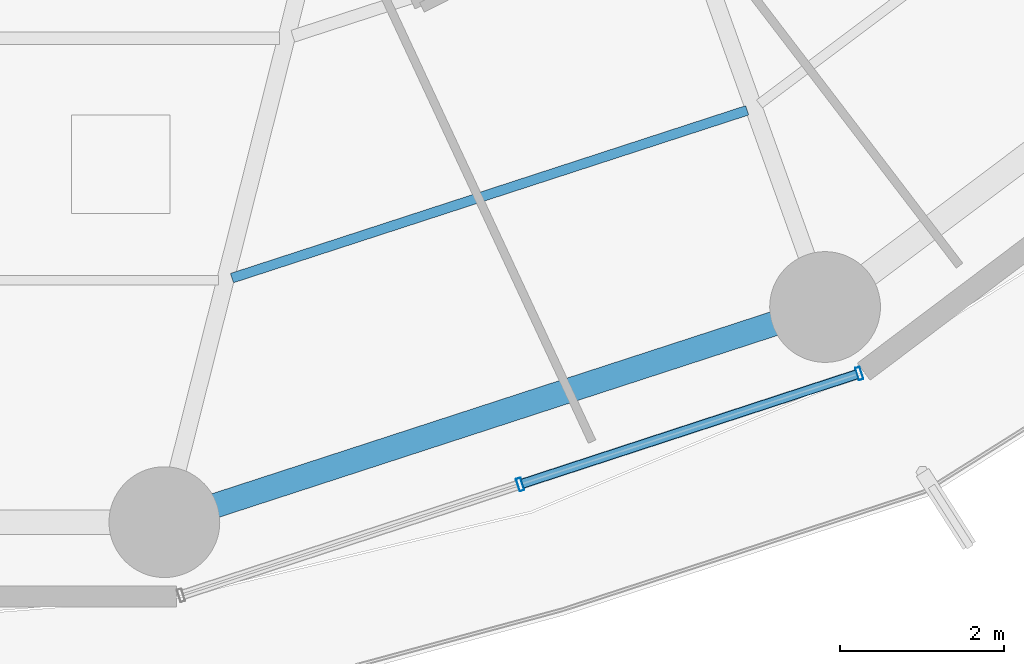
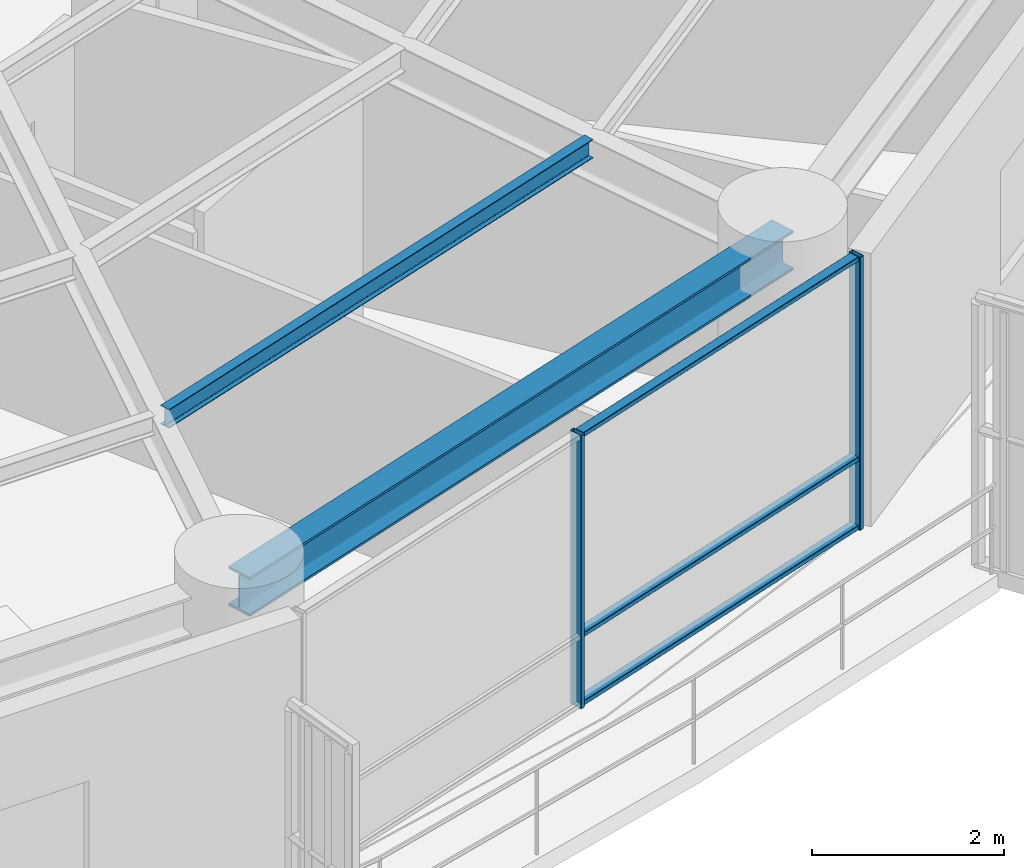
# One storey, part 10 of 38: 5 members, 2 beams, 1 element without a shape of its own.
"""IFC4 building model written with IfcOpenShell, lengths in metres."""

from ifc_helpers import new_model, si_unit, direction, frame, origin, origin_2d, place, context, subcontext, project, spatial, hollow_rectangle, i_section, extrude, material, layer, layer_set, material_profile, profile_set, type_object, element, aggregate, save


model = new_model("IFC4")

# Units and contexts
model_context = context("Model", 3, precision=1e-05, world=origin(), true_north=direction((0.0, 1.0)))
body_context = subcontext(model_context, "Body", "Model", "MODEL_VIEW")
ifc_project = project(units=[si_unit("LENGTHUNIT", "METRE"), si_unit("AREAUNIT", "SQUARE_METRE"), si_unit("VOLUMEUNIT", "CUBIC_METRE"), si_unit("PLANEANGLEUNIT", "RADIAN"), si_unit("MASSUNIT", "GRAM", prefix="KILO")], contexts=[model_context])

# Site, building, storey
site_placement = place(None, origin())
site = spatial("IfcSite", under=ifc_project, at=site_placement, CompositionType="ELEMENT")
building_placement = place(site_placement, origin())
building = spatial("IfcBuilding", under=site, at=building_placement, Name="Kelanora Arch Commons", CompositionType="ELEMENT")
storey_placement = place(building_placement, frame((0.0, 0.0, 106.35009765625)))
storey = spatial("IfcBuildingStorey", under=building, at=storey_placement, Name="L27", CompositionType="ELEMENT", Elevation=106.35009765625)

# Beams
ifc_material_1 = material(Name="Steel S355", Category="steel")
ifc_material_profile_1 = material_profile(ifc_material_1, i_section(OverallWidth=0.1201171875, OverallDepth=0.239990234375, WebThickness=0.006103515625, FlangeThickness=0.009765625, FilletRadius=0.014892578125, at=origin_2d()), Name="IPE240")
ifc_profile_set_1 = profile_set([ifc_material_profile_1], Name="Steel S355")
beam_type_1 = type_object("IfcBeamType", Name="BM-JST-02", PredefinedType="JOIST", material=ifc_profile_set_1)
beam_1_placement = place(storey_placement, frame((79.109375, 39.230712890625, 3.369873046875), z_axis=(0.950862829272, 0.309612467301, 0.0), x_axis=(-0.309612467301, 0.950862829272, 0.0)))
element("IfcBeam", 1, at=beam_1_placement, inside=storey, type_object=beam_type_1, Name="Secondary Chord Joist BJC-28 L27", PredefinedType="JOIST", context=body_context, shape_type="SweptSolid", body=[
    extrude(i_section(OverallWidth=0.1201171875, OverallDepth=0.239990234375, WebThickness=0.006103515625, FlangeThickness=0.009765625, FilletRadius=0.014892578125, at=origin_2d()), origin(), (0.0, 0.0, 1.0), 6.6064453125),
])
ifc_material_profile_2 = material_profile(ifc_material_1, i_section(OverallWidth=0.300048828125, OverallDepth=0.5, WebThickness=0.014404296875, FlangeThickness=0.028076171875, FilletRadius=0.027099609375, at=origin_2d()), Name="HEB500")
ifc_profile_set_2 = profile_set([ifc_material_profile_2], Name="Steel S355")
beam_type_2 = type_object("IfcBeamType", Name="BM-SPN-Z2", PredefinedType="SPANDREL", material=ifc_profile_set_2)
beam_2_placement = place(storey_placement, frame((78.28564453125, 36.25537109375, 3.239990234375), z_axis=(0.950856631974, 0.309631499418, 0.0), x_axis=(-0.309631499418, 0.950856631974, 0.0)))
element("IfcBeam", 2, at=beam_2_placement, inside=storey, type_object=beam_type_2, Name="Perimeter Spandrel Beam BS-28 L27", PredefinedType="SPANDREL", context=body_context, shape_type="SweptSolid", body=[
    extrude(i_section(OverallWidth=0.300048828125, OverallDepth=0.5, WebThickness=0.014404296875, FlangeThickness=0.028076171875, FilletRadius=0.027099609375, at=origin_2d()), origin(), (0.0, 0.0, 1.0), 8.470703125),
])

# Curtain wall, members
ifc_material_2 = material(Name="Terracotta ceramic-fritted low-E glass and aluminium", Category="masonry")
ifc_layer = layer(ifc_material_2, 0.159912109375)
ifc_layer_set = layer_set([ifc_layer], Name="Terracotta ceramic-fritted low-E glass and aluminium")
curtain_wall_type = type_object("IfcCurtainWallType", Name="CW-SYS-01", PredefinedType="NOTDEFINED", material=ifc_layer_set)
curtain_wall_placement = place(storey_placement, origin())
curtain_wall = element("IfcCurtainWall", 3, at=curtain_wall_placement, inside=storey, type_object=curtain_wall_type, Name="Unitised Curtain Wall L27-B14", PredefinedType="NOTDEFINED")
ifc_material_3 = material(Name="Powder-coated aluminium terracotta", Category="masonry")
ifc_material_profile_3 = material_profile(ifc_material_3, hollow_rectangle(XDim=0.159912109375, YDim=0.06005859375, WallThickness=0.0048828125, InnerFilletRadius=0.0048828125, OuterFilletRadius=0.010009765625, at=origin_2d()), Name="CWM160x60")
ifc_profile_set_3 = profile_set([ifc_material_profile_3], Name="Powder-coated aluminium terracotta")
member_type_1 = type_object("IfcMemberType", Name="CWM-STD", PredefinedType="MULLION", material=ifc_profile_set_3)
member_1_placement = place(storey_placement, frame((82.622802734375, 36.71533203125, 0.0), z_axis=(0.0, 0.0, 1.0), x_axis=(-0.31080470294, 0.950473795867, 0.0)))
member_1 = element("IfcMember", 4, at=member_1_placement, type_object=member_type_1, Name="CW-01 mullion 2", PredefinedType="MULLION", context=body_context, shape_type="SweptSolid", body=[
    extrude(hollow_rectangle(XDim=0.159912109375, YDim=0.06005859375, WallThickness=0.0048828125, InnerFilletRadius=0.0048828125, OuterFilletRadius=0.010009765625, at=origin_2d()), origin(), (0.0, 0.0, 1.0), 3.474853515625),
])
member_2_placement = place(storey_placement, frame((86.757080078125, 38.0673828125, 0.0), z_axis=(0.0, 0.0, 1.0), x_axis=(-0.31080470294, 0.950473795867, 0.0)))
member_2 = element("IfcMember", 5, at=member_2_placement, type_object=member_type_1, Name="CW-01 mullion 3", PredefinedType="MULLION", context=body_context, shape_type="SweptSolid", body=[
    extrude(hollow_rectangle(XDim=0.159912109375, YDim=0.06005859375, WallThickness=0.0048828125, InnerFilletRadius=0.0048828125, OuterFilletRadius=0.010009765625, at=origin_2d()), origin(), (0.0, 0.0, 1.0), 3.474853515625),
])
ifc_material_profile_4 = material_profile(ifc_material_3, hollow_rectangle(XDim=0.1201171875, YDim=0.06005859375, WallThickness=0.0048828125, InnerFilletRadius=0.0048828125, OuterFilletRadius=0.010009765625, at=origin_2d()), Name="CWT120x60")
ifc_profile_set_4 = profile_set([ifc_material_profile_4], Name="Powder-coated aluminium terracotta")
member_type_2 = type_object("IfcMemberType", Name="CWT-STD", PredefinedType="USERDEFINED", material=ifc_profile_set_4)
member_3_placement = place(storey_placement, frame((82.651123046875, 36.724609375, 0.02978515625), z_axis=(0.950466230394, 0.310827838008, 0.0), x_axis=(-0.310827838008, 0.950466230394, 0.0)))
member_3 = element("IfcMember", 6, at=member_3_placement, type_object=member_type_2, Name="CW-01 transom 2.1", ObjectType="TRANSOM", PredefinedType="USERDEFINED", context=body_context, shape_type="SweptSolid", body=[
    extrude(hollow_rectangle(XDim=0.1201171875, YDim=0.06005859375, WallThickness=0.0048828125, InnerFilletRadius=0.0048828125, OuterFilletRadius=0.010009765625, at=origin_2d()), origin(), (0.0, 0.0, 1.0), 4.2900390625),
])
member_4_placement = place(storey_placement, frame((82.651123046875, 36.724609375, 0.89990234375), z_axis=(0.950466230394, 0.310827838008, 0.0), x_axis=(-0.310827838008, 0.950466230394, 0.0)))
member_4 = element("IfcMember", 7, at=member_4_placement, type_object=member_type_2, Name="CW-01 transom 2.2", ObjectType="TRANSOM", PredefinedType="USERDEFINED", context=body_context, shape_type="SweptSolid", body=[
    extrude(hollow_rectangle(XDim=0.1201171875, YDim=0.06005859375, WallThickness=0.0048828125, InnerFilletRadius=0.0048828125, OuterFilletRadius=0.010009765625, at=origin_2d()), origin(), (0.0, 0.0, 1.0), 4.2900390625),
])
member_5_placement = place(storey_placement, frame((82.651123046875, 36.724609375, 3.44482421875), z_axis=(0.950466230394, 0.310827838008, 0.0), x_axis=(-0.310827838008, 0.950466230394, 0.0)))
member_5 = element("IfcMember", 8, at=member_5_placement, type_object=member_type_2, Name="CW-01 transom 2.3", ObjectType="TRANSOM", PredefinedType="USERDEFINED", context=body_context, shape_type="SweptSolid", body=[
    extrude(hollow_rectangle(XDim=0.1201171875, YDim=0.06005859375, WallThickness=0.0048828125, InnerFilletRadius=0.0048828125, OuterFilletRadius=0.010009765625, at=origin_2d()), origin(), (0.0, 0.0, 1.0), 4.2900390625),
])
aggregate(curtain_wall, [member_1, member_2, member_3, member_4, member_5])

save(model, "model.ifc")
